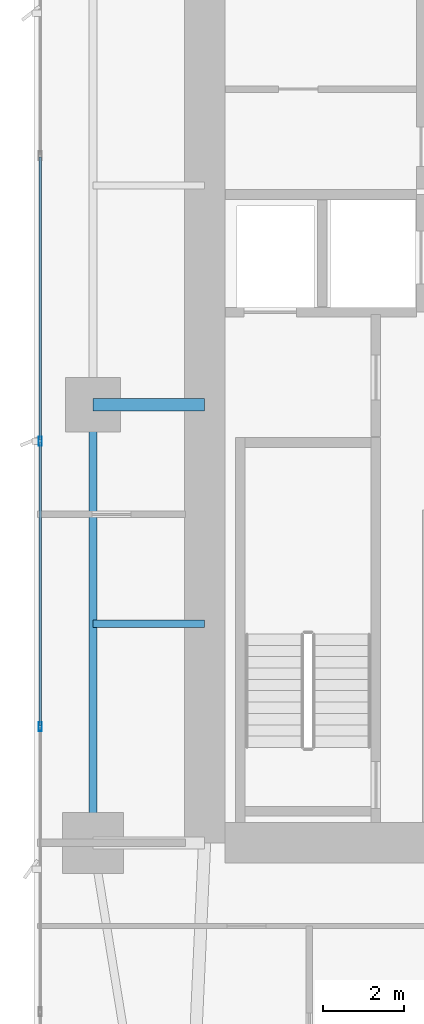
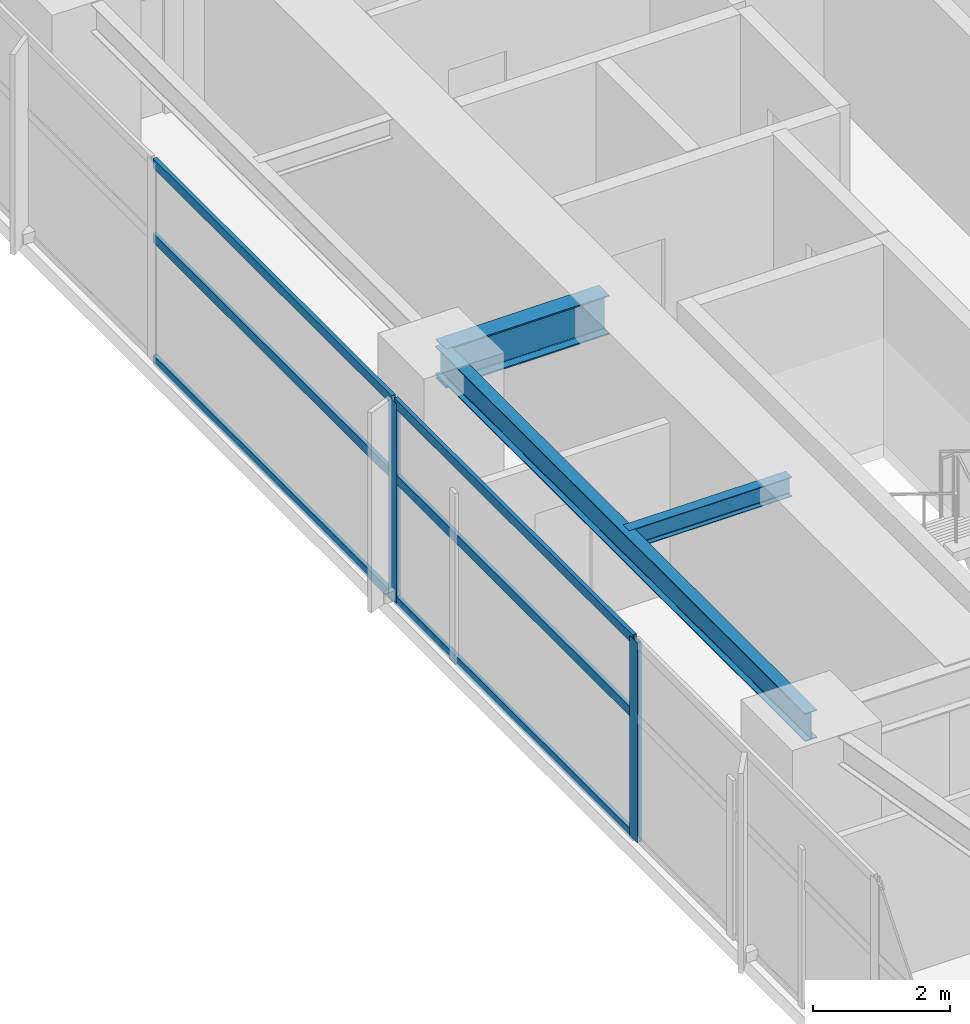
# One storey, part 8 of 29: 8 members, 3 beams, 1 element without a shape of its own.
"""IFC4 building model written with IfcOpenShell, lengths in metres."""

from ifc_helpers import new_model, si_unit, direction, frame, origin, origin_2d, place, context, subcontext, project, spatial, hollow_rectangle, i_section, extrude, material, layer, layer_set, material_profile, profile_set, type_object, element, aggregate, save


model = new_model("IFC4")

# Units and contexts
model_context = context("Model", 3, precision=1e-05, world=origin(), true_north=direction((0.0, 1.0)))
body_context = subcontext(model_context, "Body", "Model", "MODEL_VIEW")
ifc_project = project(units=[si_unit("LENGTHUNIT", "METRE"), si_unit("AREAUNIT", "SQUARE_METRE"), si_unit("VOLUMEUNIT", "CUBIC_METRE"), si_unit("PLANEANGLEUNIT", "RADIAN"), si_unit("MASSUNIT", "GRAM", prefix="KILO")], contexts=[model_context])

# Site, building, storey
site_placement = place(None, origin())
site = spatial("IfcSite", under=ifc_project, at=site_placement, CompositionType="ELEMENT")
building_placement = place(site_placement, origin())
building = spatial("IfcBuilding", under=site, at=building_placement, Name="Calvorn Quay Hotel", CompositionType="ELEMENT")
storey_placement = place(building_placement, frame((0.0, 0.0, 38.39990234375)))
storey = spatial("IfcBuildingStorey", under=building, at=storey_placement, Name="L08", CompositionType="ELEMENT", Elevation=38.39990234375)

# Beams
ifc_material_1 = material(Name="Steel Q390GJC", Category="steel")
ifc_material_profile_1 = material_profile(ifc_material_1, i_section(OverallWidth=0.300048828125, OverallDepth=0.699951171875, WebThickness=0.012939453125, FlangeThickness=0.02392578125, FilletRadius=0.02392578125, at=origin_2d()), Name="HN700x300x13x24")
ifc_profile_set_1 = profile_set([ifc_material_profile_1], Name="Steel Q390GJC")
beam_type_1 = type_object("IfcBeamType", Name="BM-GIRD-MAIN", PredefinedType="BEAM", material=ifc_profile_set_1)
beam_1_placement = place(storey_placement, frame((1.449951171875, 27.60009765625, 3.190185546875), z_axis=(1.0, 0.0, 0.0), x_axis=(0.0, 1.0, 0.0)))
element("IfcBeam", 1, at=beam_1_placement, inside=storey, type_object=beam_type_1, Name="Beam BG-L08-W2", PredefinedType="BEAM", context=body_context, shape_type="SweptSolid", body=[
    extrude(i_section(OverallWidth=0.300048828125, OverallDepth=0.699951171875, WebThickness=0.012939453125, FlangeThickness=0.02392578125, FilletRadius=0.02392578125, at=origin_2d()), origin(), (0.0, 0.0, 1.0), 2.75),
])
ifc_material_2 = material(Name="Steel Q355B", Category="steel")
ifc_material_profile_2 = material_profile(ifc_material_2, i_section(OverallWidth=0.175048828125, OverallDepth=0.35009765625, WebThickness=0.007080078125, FlangeThickness=0.010986328125, FilletRadius=0.013916015625, at=origin_2d()), Name="HN350x175x7x11")
ifc_profile_set_2 = profile_set([ifc_material_profile_2], Name="Steel Q355B")
beam_type_2 = type_object("IfcBeamType", Name="BM-JOIST-SEC", PredefinedType="JOIST", material=ifc_profile_set_2)
beam_2_placement = place(storey_placement, frame((1.449951171875, 22.199951171875, 3.364990234375), z_axis=(1.0, 0.0, 0.0), x_axis=(0.0, 1.0, 0.0)))
element("IfcBeam", 2, at=beam_2_placement, inside=storey, type_object=beam_type_2, Name="Beam BJ-L08-W3", PredefinedType="JOIST", context=body_context, shape_type="SweptSolid", body=[
    extrude(i_section(OverallWidth=0.175048828125, OverallDepth=0.35009765625, WebThickness=0.007080078125, FlangeThickness=0.010986328125, FilletRadius=0.013916015625, at=origin_2d()), origin(), (0.0, 0.0, 1.0), 2.75),
])
ifc_material_3 = material(Name="Steel Q355B", Category="steel")
ifc_material_profile_3 = material_profile(ifc_material_3, i_section(OverallWidth=0.199951171875, OverallDepth=0.5, WebThickness=0.010009765625, FlangeThickness=0.01611328125, FilletRadius=0.01611328125, at=origin_2d()), Name="HN500x200x10x16")
ifc_profile_set_3 = profile_set([ifc_material_profile_3], Name="Steel Q355B")
beam_type_3 = type_object("IfcBeamType", Name="BM-SPANDREL-Z1", PredefinedType="SPANDREL", material=ifc_profile_set_3)
beam_3_placement = place(storey_placement, frame((1.449951171875, 16.800048828125, 3.2900390625), z_axis=(0.0, 1.0, 0.0), x_axis=(-1.0, 0.0, 0.0)))
element("IfcBeam", 3, at=beam_3_placement, inside=storey, type_object=beam_type_3, Name="Beam BSP-L08-W2", PredefinedType="SPANDREL", context=body_context, shape_type="SweptSolid", body=[
    extrude(i_section(OverallWidth=0.199951171875, OverallDepth=0.5, WebThickness=0.010009765625, FlangeThickness=0.01611328125, FilletRadius=0.01611328125, at=origin_2d()), origin(), (0.0, 0.0, 1.0), 10.800048828125),
])

# Curtain wall, members
ifc_material_4 = material(Name="Pale Anodised Aluminium and Low-E Glass", Category="aluminium")
ifc_layer = layer(ifc_material_4, 0.219970703125)
ifc_layer_set = layer_set([ifc_layer], Name="CW-SYS-Z1")
curtain_wall_type = type_object("IfcCurtainWallType", Name="CW-SYS-Z1", PredefinedType="NOTDEFINED", material=ifc_layer_set)
curtain_wall_placement = place(storey_placement, origin())
curtain_wall = element("IfcCurtainWall", 4, at=curtain_wall_placement, inside=storey, type_object=curtain_wall_type, Name="Tower West Curtain Wall (L08)", PredefinedType="NOTDEFINED")
ifc_material_5 = material(Name="Pale Anodised Aluminium 6063-T6", Category="aluminium")
ifc_material_profile_4 = material_profile(ifc_material_5, hollow_rectangle(XDim=0.074951171875, YDim=0.219970703125, WallThickness=0.00439453125, at=origin_2d()), Name="ALU-M220x75x4.5")
ifc_profile_set_4 = profile_set([ifc_material_profile_4], Name="Pale Anodised Aluminium 6063-T6")
member_type_1 = type_object("IfcMemberType", Name="CW-SYS-Z1-MUL", PredefinedType="MULLION", material=ifc_profile_set_4)
member_1_placement = place(storey_placement, frame((0.14990234375, 19.666748046875, 0.0), z_axis=(0.0, 0.0, 1.0), x_axis=(-1.0, 0.0, 0.0)))
member_1 = element("IfcMember", 5, at=member_1_placement, type_object=member_type_1, Name="CW-L08-W mullion 3", PredefinedType="MULLION", context=body_context, shape_type="SweptSolid", body=[
    extrude(hollow_rectangle(XDim=0.074951171875, YDim=0.219970703125, WallThickness=0.00439453125, at=origin_2d()), origin(), (0.0, 0.0, 1.0), 3.56005859375),
])
member_2_placement = place(storey_placement, frame((0.14990234375, 26.699951171875, 0.0), z_axis=(0.0, 0.0, 1.0), x_axis=(-1.0, 0.0, 0.0)))
member_2 = element("IfcMember", 6, at=member_2_placement, type_object=member_type_1, Name="CW-L08-W mullion 4", PredefinedType="MULLION", context=body_context, shape_type="SweptSolid", body=[
    extrude(hollow_rectangle(XDim=0.074951171875, YDim=0.219970703125, WallThickness=0.00439453125, at=origin_2d()), origin(), (0.0, 0.0, 1.0), 3.56005859375),
])
ifc_material_6 = material(Name="Pale Anodised Aluminium 6063-T6", Category="aluminium")
ifc_material_profile_5 = material_profile(ifc_material_6, hollow_rectangle(XDim=0.06494140625, YDim=0.1650390625, WallThickness=0.00341796875, at=origin_2d()), Name="ALU-T165x65x3.5")
ifc_profile_set_5 = profile_set([ifc_material_profile_5], Name="Pale Anodised Aluminium 6063-T6")
member_type_2 = type_object("IfcMemberType", Name="CW-SYS-Z1-TRN", PredefinedType="USERDEFINED", material=ifc_profile_set_5)
member_3_placement = place(storey_placement, frame((0.14990234375, 19.69677734375, 0.030029296875), z_axis=(0.0, 1.0, 0.0), x_axis=(-1.0, 0.0, 0.0)))
member_3 = element("IfcMember", 7, at=member_3_placement, type_object=member_type_2, Name="CW-L08-W transom 3.1", ObjectType="TRANSOM", PredefinedType="USERDEFINED", context=body_context, shape_type="SweptSolid", body=[
    extrude(hollow_rectangle(XDim=0.06494140625, YDim=0.1650390625, WallThickness=0.00341796875, at=origin_2d()), origin(), (0.0, 0.0, 1.0), 6.97314453125),
])
member_4_placement = place(storey_placement, frame((0.14990234375, 19.69677734375, 2.2001953125), z_axis=(0.0, 1.0, 0.0), x_axis=(-1.0, 0.0, 0.0)))
member_4 = element("IfcMember", 8, at=member_4_placement, type_object=member_type_2, Name="CW-L08-W transom 3.2", ObjectType="TRANSOM", PredefinedType="USERDEFINED", context=body_context, shape_type="SweptSolid", body=[
    extrude(hollow_rectangle(XDim=0.06494140625, YDim=0.1650390625, WallThickness=0.00341796875, at=origin_2d()), origin(), (0.0, 0.0, 1.0), 6.97314453125),
])
member_5_placement = place(storey_placement, frame((0.14990234375, 19.69677734375, 3.530029296875), z_axis=(0.0, 1.0, 0.0), x_axis=(-1.0, 0.0, 0.0)))
member_5 = element("IfcMember", 9, at=member_5_placement, type_object=member_type_2, Name="CW-L08-W transom 3.3", ObjectType="TRANSOM", PredefinedType="USERDEFINED", context=body_context, shape_type="SweptSolid", body=[
    extrude(hollow_rectangle(XDim=0.06494140625, YDim=0.1650390625, WallThickness=0.00341796875, at=origin_2d()), origin(), (0.0, 0.0, 1.0), 6.97314453125),
])
member_6_placement = place(storey_placement, frame((0.14990234375, 26.72998046875, 0.030029296875), z_axis=(0.0, 1.0, 0.0), x_axis=(-1.0, 0.0, 0.0)))
member_6 = element("IfcMember", 10, at=member_6_placement, type_object=member_type_2, Name="CW-L08-W transom 4.1", ObjectType="TRANSOM", PredefinedType="USERDEFINED", context=body_context, shape_type="SweptSolid", body=[
    extrude(hollow_rectangle(XDim=0.06494140625, YDim=0.1650390625, WallThickness=0.00341796875, at=origin_2d()), origin(), (0.0, 0.0, 1.0), 6.973388671875),
])
member_7_placement = place(storey_placement, frame((0.14990234375, 26.72998046875, 2.2001953125), z_axis=(0.0, 1.0, 0.0), x_axis=(-1.0, 0.0, 0.0)))
member_7 = element("IfcMember", 11, at=member_7_placement, type_object=member_type_2, Name="CW-L08-W transom 4.2", ObjectType="TRANSOM", PredefinedType="USERDEFINED", context=body_context, shape_type="SweptSolid", body=[
    extrude(hollow_rectangle(XDim=0.06494140625, YDim=0.1650390625, WallThickness=0.00341796875, at=origin_2d()), origin(), (0.0, 0.0, 1.0), 6.973388671875),
])
member_8_placement = place(storey_placement, frame((0.14990234375, 26.72998046875, 3.530029296875), z_axis=(0.0, 1.0, 0.0), x_axis=(-1.0, 0.0, 0.0)))
member_8 = element("IfcMember", 12, at=member_8_placement, type_object=member_type_2, Name="CW-L08-W transom 4.3", ObjectType="TRANSOM", PredefinedType="USERDEFINED", context=body_context, shape_type="SweptSolid", body=[
    extrude(hollow_rectangle(XDim=0.06494140625, YDim=0.1650390625, WallThickness=0.00341796875, at=origin_2d()), origin(), (0.0, 0.0, 1.0), 6.973388671875),
])
aggregate(curtain_wall, [member_1, member_2, member_3, member_4, member_5, member_6, member_7, member_8])

save(model, "model.ifc")
